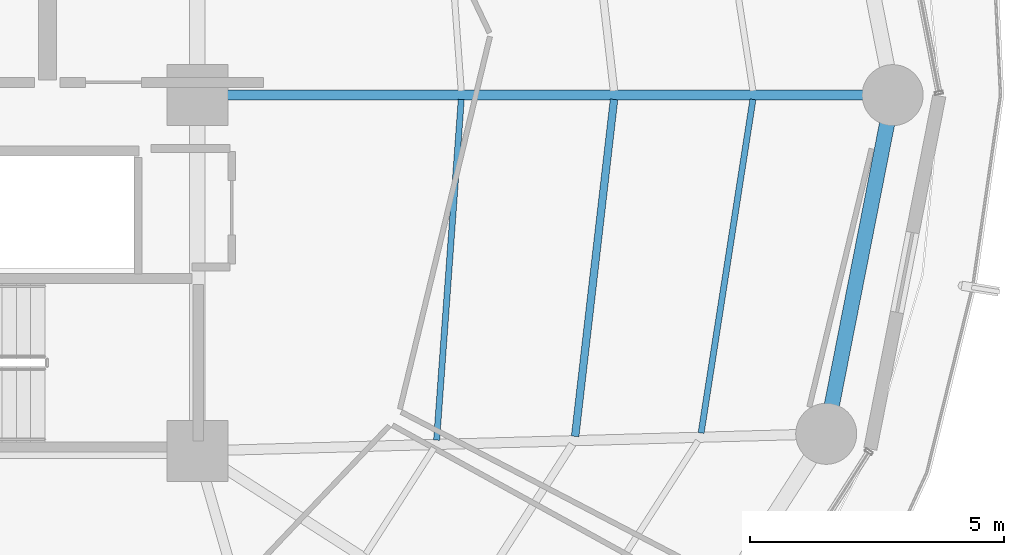
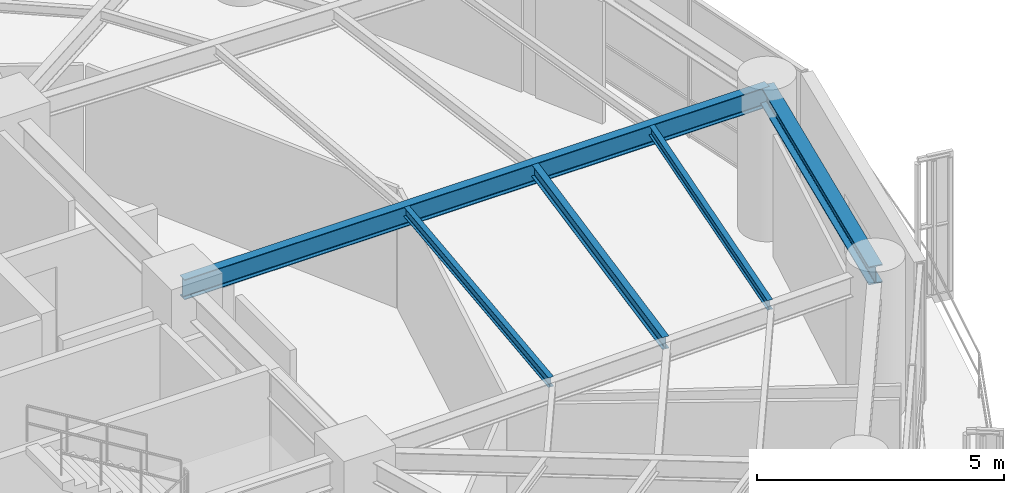
# One storey, part 12 of 27: 5 beams.
"""IFC4 building model written with IfcOpenShell, lengths in metres."""

from ifc_helpers import new_model, si_unit, direction, frame, origin, origin_2d, place, context, subcontext, project, spatial, i_section, extrude, material, material_profile, profile_set, type_object, element, save


model = new_model("IFC4")

# Units and contexts
model_context = context("Model", 3, precision=1e-05, world=origin(), true_north=direction((0.0, 1.0)))
body_context = subcontext(model_context, "Body", "Model", "MODEL_VIEW")
ifc_project = project(units=[si_unit("LENGTHUNIT", "METRE"), si_unit("AREAUNIT", "SQUARE_METRE"), si_unit("VOLUMEUNIT", "CUBIC_METRE"), si_unit("PLANEANGLEUNIT", "RADIAN"), si_unit("MASSUNIT", "GRAM", prefix="KILO")], contexts=[model_context])

# Site, building, storey
site_placement = place(None, origin())
site = spatial("IfcSite", under=ifc_project, at=site_placement, CompositionType="ELEMENT")
building_placement = place(site_placement, origin())
building = spatial("IfcBuilding", under=site, at=building_placement, Name="Kelanora Arch Commons", CompositionType="ELEMENT")
storey_placement = place(building_placement, frame((0.0, 0.0, 143.10009765625)))
storey = spatial("IfcBuildingStorey", under=building, at=storey_placement, Name="L36", CompositionType="ELEMENT", Elevation=143.10009765625)

# Beams
ifc_material = material(Name="Steel S355", Category="steel")
ifc_material_profile_1 = material_profile(ifc_material, i_section(OverallWidth=0.14990234375, OverallDepth=0.300048828125, WebThickness=0.007080078125, FlangeThickness=0.0107421875, FilletRadius=0.014892578125, at=origin_2d()), Name="IPE300")
ifc_profile_set_1 = profile_set([ifc_material_profile_1], Name="Steel S355")
beam_type_1 = type_object("IfcBeamType", Name="BM-JST-01", PredefinedType="JOIST", material=ifc_profile_set_1)
beam_1_placement = place(storey_placement, frame((89.43310546875, 51.286865234375, 3.33984375), z_axis=(0.114667159005, 0.9934039675, 0.0), x_axis=(-0.9934039675, 0.114667159005, 0.0)))
element("IfcBeam", 1, at=beam_1_placement, inside=storey, type_object=beam_type_1, Name="Secondary Chord Joist BJB-34 L36", PredefinedType="JOIST", context=body_context, shape_type="SweptSolid", body=[
    extrude(i_section(OverallWidth=0.14990234375, OverallDepth=0.300048828125, WebThickness=0.007080078125, FlangeThickness=0.0107421875, FilletRadius=0.014892578125, at=origin_2d()), origin(), (0.0, 0.0, 1.0), 6.672607421875),
])
ifc_material_profile_2 = material_profile(ifc_material, i_section(OverallWidth=0.1201171875, OverallDepth=0.239990234375, WebThickness=0.006103515625, FlangeThickness=0.009765625, FilletRadius=0.014892578125, at=origin_2d()), Name="IPE240")
ifc_profile_set_2 = profile_set([ifc_material_profile_2], Name="Steel S355")
beam_type_2 = type_object("IfcBeamType", Name="BM-JST-02", PredefinedType="JOIST", material=ifc_profile_set_2)
beam_2_placement = place(storey_placement, frame((86.707763671875, 51.212890625, 3.369873046875), z_axis=(0.072117123738, 0.997396170267, 0.0), x_axis=(-0.997396170267, 0.072117123738, 0.0)))
element("IfcBeam", 2, at=beam_2_placement, inside=storey, type_object=beam_type_2, Name="Secondary Chord Joist BJA-34 L36", PredefinedType="JOIST", context=body_context, shape_type="SweptSolid", body=[
    extrude(i_section(OverallWidth=0.1201171875, OverallDepth=0.239990234375, WebThickness=0.006103515625, FlangeThickness=0.009765625, FilletRadius=0.014892578125, at=origin_2d()), origin(), (0.0, 0.0, 1.0), 6.719970703125),
])
beam_3_placement = place(storey_placement, frame((91.9111328125, 51.35400390625, 3.369873046875), z_axis=(0.153562625853, 0.988138917329, 0.0), x_axis=(-0.988138917329, 0.153562625853, 0.0)))
element("IfcBeam", 3, at=beam_3_placement, inside=storey, type_object=beam_type_2, Name="Secondary Chord Joist BJC-34 L36", PredefinedType="JOIST", context=body_context, shape_type="SweptSolid", body=[
    extrude(i_section(OverallWidth=0.1201171875, OverallDepth=0.239990234375, WebThickness=0.006103515625, FlangeThickness=0.009765625, FilletRadius=0.014892578125, at=origin_2d()), origin(), (0.0, 0.0, 1.0), 6.640869140625),
])
ifc_material_profile_3 = material_profile(ifc_material, i_section(OverallWidth=0.199951171875, OverallDepth=0.5, WebThickness=0.01025390625, FlangeThickness=0.01611328125, FilletRadius=0.02099609375, at=origin_2d()), Name="IPE500")
ifc_profile_set_3 = profile_set([ifc_material_profile_3], Name="Steel S355")
beam_type_3 = type_object("IfcBeamType", Name="BM-RAD-Z3", PredefinedType="BEAM", material=ifc_profile_set_3)
beam_4_placement = place(storey_placement, frame((82.0, 58.0, 3.239990234375), z_axis=(1.0, 0.0, 0.0), x_axis=(0.0, 1.0, 0.0)))
element("IfcBeam", 4, at=beam_4_placement, inside=storey, type_object=beam_type_3, Name="Radial Floor Girder BR-00 L36", PredefinedType="BEAM", context=body_context, shape_type="SweptSolid", body=[
    extrude(i_section(OverallWidth=0.199951171875, OverallDepth=0.5, WebThickness=0.01025390625, FlangeThickness=0.01611328125, FilletRadius=0.02099609375, at=origin_2d()), origin(), (0.0, 0.0, 1.0), 13.679931640625),
])
ifc_material_profile_4 = material_profile(ifc_material, i_section(OverallWidth=0.300048828125, OverallDepth=0.449951171875, WebThickness=0.013916015625, FlangeThickness=0.02587890625, FilletRadius=0.027099609375, at=origin_2d()), Name="HEB450")
ifc_profile_set_4 = profile_set([ifc_material_profile_4], Name="Steel S355")
beam_type_4 = type_object("IfcBeamType", Name="BM-SPN-Z3", PredefinedType="SPANDREL", material=ifc_profile_set_4)
beam_5_placement = place(storey_placement, frame((94.37255859375, 51.33740234375, 3.264892578125), z_axis=(0.192553643556, 0.981286448675, 0.0), x_axis=(-0.981286448675, 0.192553643556, 0.0)))
element("IfcBeam", 5, at=beam_5_placement, inside=storey, type_object=beam_type_4, Name="Perimeter Spandrel Beam BS-34 L36", PredefinedType="SPANDREL", context=body_context, shape_type="SweptSolid", body=[
    extrude(i_section(OverallWidth=0.300048828125, OverallDepth=0.449951171875, WebThickness=0.013916015625, FlangeThickness=0.02587890625, FilletRadius=0.027099609375, at=origin_2d()), origin(), (0.0, 0.0, 1.0), 6.78955078125),
])

save(model, "model.ifc")
